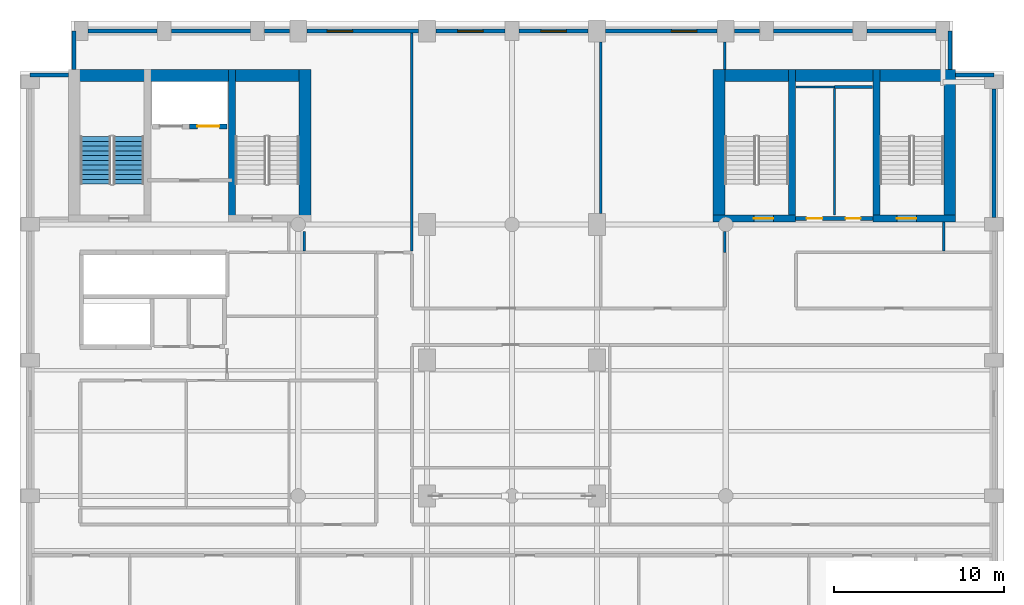
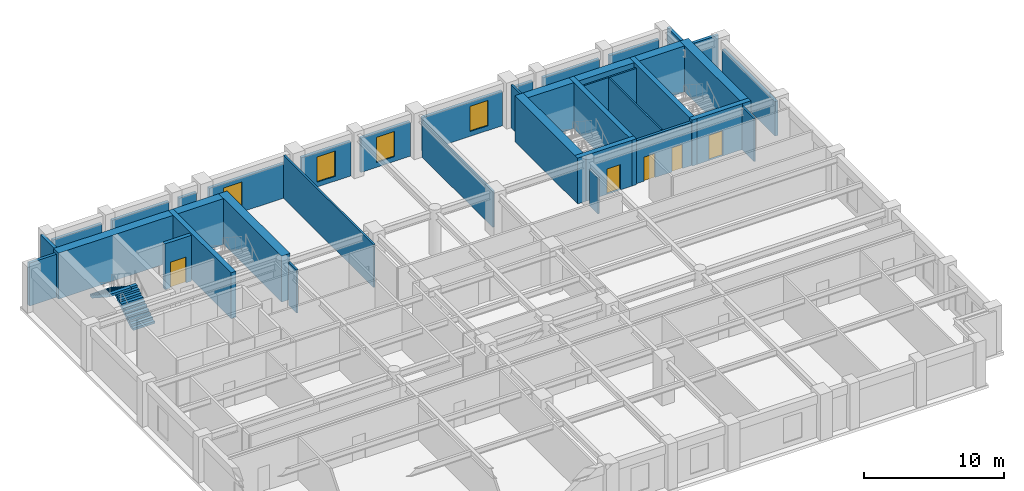
# One storey, part 7 of 10: 36 walls, 5 doors, 4 windows, 2 stair flights, 9 openings, 1 element without a shape of its own.
"""IFC4 building model written with IfcOpenShell, lengths in metres."""

from ifc_helpers import new_model, si_unit, direction, frame, frame_2d, origin, place, context, subcontext, project, spatial, polyline, rectangle, outline, extrude, material, layer, layer_set, type_object, element, fill, aggregate, save


model = new_model("IFC4")

# Units and contexts
model_context = context("Model", 3, precision=1e-05, world=origin(), true_north=direction((0.0, 1.0)))
body_context = subcontext(model_context, "Body", "Model", "MODEL_VIEW")
ifc_project = project(units=[si_unit("LENGTHUNIT", "METRE"), si_unit("AREAUNIT", "SQUARE_METRE"), si_unit("VOLUMEUNIT", "CUBIC_METRE"), si_unit("PLANEANGLEUNIT", "RADIAN"), si_unit("MASSUNIT", "GRAM", prefix="KILO")], contexts=[model_context])

# Site, building, storey
site_placement = place(None, origin())
site = spatial("IfcSite", under=ifc_project, at=site_placement, CompositionType="ELEMENT")
building_placement = place(site_placement, origin())
building = spatial("IfcBuilding", under=site, at=building_placement, Name="Sulina Concourse Tower", CompositionType="ELEMENT")
storey_placement = place(building_placement, frame((0.0, 0.0, 210.60009765625)))
storey = spatial("IfcBuildingStorey", under=building, at=storey_placement, Name="L51", CompositionType="ELEMENT", Elevation=210.60009765625)

# Wall, opening, door
ifc_material_1 = material(Name="Concrete C50/60", Category="concrete")
ifc_layer_1 = layer(ifc_material_1, 0.300048828125)
ifc_layer_set_1 = layer_set([ifc_layer_1], Name="Concrete C50/60")
wall_type_1 = type_object("IfcWallType", Name="Core Lift Hoistway Wall 300mm", PredefinedType="SOLIDWALL", material=ifc_layer_set_1)
wall_1_placement = place(storey_placement, frame((12.199951171875, 39.780029296875, 0.0), z_axis=(0.0, 0.0, 1.0), x_axis=(-1.0, 0.0, 0.0)))
wall_1 = element("IfcWall", 1, at=wall_1_placement, inside=storey, type_object=wall_type_1, Name="L51 hoistway enclosure wall FFL-2", PredefinedType="SOLIDWALL", context=body_context, shape_type="SweptSolid", body=[
    extrude(rectangle(XDim=2.199951171875, YDim=0.300048828125, at=frame_2d((1.10009765625, 0.0))), origin(), (0.0, 0.0, 1.0), 4.0),
])
opening_1_placement = place(wall_1_placement, frame((0.449951171875, 0.0, 0.0)))
opening_1 = element("IfcOpeningElement", 2, at=opening_1_placement, cuts=wall_1, Name="Opening LD-02", PredefinedType="OPENING", context=body_context, shape_type="SweptSolid", body=[
    extrude(rectangle(XDim=1.300048828125, YDim=2.25, at=frame_2d((0.64990234375, 1.125))), frame((0.0, 0.159912109375, 0.0), z_axis=(0.0, -1.0, 0.0), x_axis=(1.0, 0.0, 0.0)), (0.0, 0.0, 1.0), 0.320068359375),
])
ifc_material_2 = material(Name="Stainless steel lift landing door", Category="steel")
ifc_layer_2 = layer(ifc_material_2, 0.050048828125)
ifc_layer_set_2 = layer_set([ifc_layer_2], Name="Stainless steel lift landing door")
door_type_1 = type_object("IfcDoorType", Name="Firefighting Lift Sliding Landing Door 1300x2250", OperationType="SLIDING_TO_RIGHT", PredefinedType="DOOR", material=ifc_layer_set_2)
door_1_placement = place(opening_1_placement, origin())
door_1 = element("IfcDoor", 3, at=door_1_placement, inside=storey, type_object=door_type_1, Name="L51 lift landing sliding door FFL-2", OperationType="SLIDING_TO_RIGHT", OverallHeight=2.25, OverallWidth=1.300048828125, PredefinedType="DOOR", context=body_context, shape_type="SweptSolid", body=[
    extrude(rectangle(XDim=1.300048828125, YDim=2.25, at=frame_2d((0.64990234375, 1.125))), frame((0.0, 0.02490234375, 0.0), z_axis=(0.0, -1.0, 0.0), x_axis=(1.0, 0.0, 0.0)), (0.0, 0.0, 1.0), 0.050048828125),
])
fill(opening_1, door_1)

# Walls
ifc_material_3 = material(Name="Precast concrete C50/60", Category="concrete")
ifc_layer_3 = layer(ifc_material_3, 0.239990234375)
ifc_layer_set_3 = layer_set([ifc_layer_3], Name="Precast concrete C50/60")
wall_type_2 = type_object("IfcWallType", Name="Crown Precast Masonry-Frame Facade Wall 240mm", PredefinedType="SOLIDWALL", material=ifc_layer_set_3)
wall_2_placement = place(storey_placement, frame((4.02001953125, 45.39990234375, 0.0), z_axis=(0.0, 0.0, 1.0), x_axis=(1.0, 0.0, 0.0)))
element("IfcWall", 4, at=wall_2_placement, inside=storey, type_object=wall_type_2, Name="L51 exterior precast wall N1", PredefinedType="SOLIDWALL", context=body_context, shape_type="SweptSolid", body=[
    extrude(rectangle(XDim=4.06005859375, YDim=0.239990234375, at=frame_2d((2.030029296875, 0.0))), origin(), (0.0, 0.0, 1.0), 3.0),
])
wall_3_placement = place(storey_placement, frame((8.919921875, 45.39990234375, 0.0), z_axis=(0.0, 0.0, 1.0), x_axis=(1.0, 0.0, 0.0)))
element("IfcWall", 5, at=wall_3_placement, inside=storey, type_object=wall_type_2, Name="L51 exterior precast wall N2", PredefinedType="SOLIDWALL", context=body_context, shape_type="SweptSolid", body=[
    extrude(rectangle(XDim=4.66015625, YDim=0.239990234375, at=frame_2d((2.330078125, 0.0))), origin(), (0.0, 0.0, 1.0), 3.0),
])
wall_4_placement = place(storey_placement, frame((14.419921875, 45.39990234375, 0.0), z_axis=(0.0, 0.0, 1.0), x_axis=(1.0, 0.0, 0.0)))
element("IfcWall", 6, at=wall_4_placement, inside=storey, type_object=wall_type_2, Name="L51 exterior precast wall N3", PredefinedType="SOLIDWALL", context=body_context, shape_type="SweptSolid", body=[
    extrude(rectangle(XDim=1.4599609375, YDim=0.239990234375, at=frame_2d((0.72998046875, 0.0))), origin(), (0.0, 0.0, 1.0), 3.0),
])

# Wall, opening, window
wall_5_placement = place(storey_placement, frame((16.919921875, 45.39990234375, 0.0), z_axis=(0.0, 0.0, 1.0), x_axis=(1.0, 0.0, 0.0)))
wall_5 = element("IfcWall", 7, at=wall_5_placement, inside=storey, type_object=wall_type_2, Name="L51 exterior precast wall N4", PredefinedType="SOLIDWALL", context=body_context, shape_type="SweptSolid", body=[
    extrude(rectangle(XDim=6.56005859375, YDim=0.239990234375, at=frame_2d((3.280029296875, 0.0))), origin(), (0.0, 0.0, 1.0), 3.0),
])
opening_2_placement = place(wall_5_placement, frame((1.186767578125, 0.0, 0.419921875)))
opening_2 = element("IfcOpeningElement", 8, at=opening_2_placement, cuts=wall_5, Name="Opening WN-71", PredefinedType="OPENING", context=body_context, shape_type="SweptSolid", body=[
    extrude(rectangle(XDim=1.5, YDim=2.199951171875, at=frame_2d((0.75, 1.10009765625))), frame((0.0, 0.1298828125, 0.0), z_axis=(0.0, -1.0, 0.0), x_axis=(1.0, 0.0, 0.0)), (0.0, 0.0, 1.0), 0.260009765625),
])
ifc_material_4 = material(Name="Low-E solar double glazing in bronze aluminium", Category="aluminium")
window_type = type_object("IfcWindowType", Name="Punched Masonry-Frame Window 1500x2200", PartitioningType="SINGLE_PANEL", PredefinedType="WINDOW", material=ifc_material_4)
window_1_placement = place(opening_2_placement, origin())
window_1 = element("IfcWindow", 9, at=window_1_placement, inside=storey, type_object=window_type, Name="L51 punched window N4-1", OverallHeight=2.199951171875, OverallWidth=1.5, PartitioningType="SINGLE_PANEL", PredefinedType="WINDOW", context=body_context, shape_type="SweptSolid", body=[
    extrude(rectangle(XDim=1.5, YDim=2.199951171875, at=frame_2d((0.75, 1.10009765625))), frame((0.0, 0.030029296875, 0.0), z_axis=(0.0, -1.0, 0.0), x_axis=(1.0, 0.0, 0.0)), (0.0, 0.0, 1.0), 0.06005859375),
])
fill(opening_2, window_1)

wall_6_placement = place(storey_placement, frame((24.52001953125, 45.39990234375, 0.0), z_axis=(0.0, 0.0, 1.0), x_axis=(1.0, 0.0, 0.0)))
wall_6 = element("IfcWall", 10, at=wall_6_placement, inside=storey, type_object=wall_type_2, Name="L51 exterior precast wall N5", PredefinedType="SOLIDWALL", context=body_context, shape_type="SweptSolid", body=[
    extrude(rectangle(XDim=4.06005859375, YDim=0.239990234375, at=frame_2d((2.030029296875, 0.0))), origin(), (0.0, 0.0, 1.0), 3.0),
])
opening_3_placement = place(wall_6_placement, frame((1.280029296875, 0.0, 0.419921875)))
opening_3 = element("IfcOpeningElement", 11, at=opening_3_placement, cuts=wall_6, Name="Opening WN-71", PredefinedType="OPENING", context=body_context, shape_type="SweptSolid", body=[
    extrude(rectangle(XDim=1.5, YDim=2.199951171875, at=frame_2d((0.75, 1.10009765625))), frame((0.0, 0.1298828125, 0.0), z_axis=(0.0, -1.0, 0.0), x_axis=(1.0, 0.0, 0.0)), (0.0, 0.0, 1.0), 0.260009765625),
])
window_2_placement = place(opening_3_placement, origin())
window_2 = element("IfcWindow", 12, at=window_2_placement, inside=storey, type_object=window_type, Name="L51 punched window N5-1", OverallHeight=2.199951171875, OverallWidth=1.5, PartitioningType="SINGLE_PANEL", PredefinedType="WINDOW", context=body_context, shape_type="SweptSolid", body=[
    extrude(rectangle(XDim=1.5, YDim=2.199951171875, at=frame_2d((0.75, 1.10009765625))), frame((0.0, 0.030029296875, 0.0), z_axis=(0.0, -1.0, 0.0), x_axis=(1.0, 0.0, 0.0)), (0.0, 0.0, 1.0), 0.06005859375),
])
fill(opening_3, window_2)

wall_7_placement = place(storey_placement, frame((29.419921875, 45.39990234375, 0.0), z_axis=(0.0, 0.0, 1.0), x_axis=(1.0, 0.0, 0.0)))
wall_7 = element("IfcWall", 13, at=wall_7_placement, inside=storey, type_object=wall_type_2, Name="L51 exterior precast wall N6", PredefinedType="SOLIDWALL", context=body_context, shape_type="SweptSolid", body=[
    extrude(rectangle(XDim=4.06005859375, YDim=0.239990234375, at=frame_2d((2.030029296875, 0.0))), origin(), (0.0, 0.0, 1.0), 3.0),
])
opening_4_placement = place(wall_7_placement, frame((1.280029296875, 0.0, 0.419921875)))
opening_4 = element("IfcOpeningElement", 14, at=opening_4_placement, cuts=wall_7, Name="Opening WN-71", PredefinedType="OPENING", context=body_context, shape_type="SweptSolid", body=[
    extrude(rectangle(XDim=1.5, YDim=2.199951171875, at=frame_2d((0.75, 1.10009765625))), frame((0.0, 0.1298828125, 0.0), z_axis=(0.0, -1.0, 0.0), x_axis=(1.0, 0.0, 0.0)), (0.0, 0.0, 1.0), 0.260009765625),
])
window_3_placement = place(opening_4_placement, origin())
window_3 = element("IfcWindow", 15, at=window_3_placement, inside=storey, type_object=window_type, Name="L51 punched window N6-1", OverallHeight=2.199951171875, OverallWidth=1.5, PartitioningType="SINGLE_PANEL", PredefinedType="WINDOW", context=body_context, shape_type="SweptSolid", body=[
    extrude(rectangle(XDim=1.5, YDim=2.199951171875, at=frame_2d((0.75, 1.10009765625))), frame((0.0, 0.030029296875, 0.0), z_axis=(0.0, -1.0, 0.0), x_axis=(1.0, 0.0, 0.0)), (0.0, 0.0, 1.0), 0.06005859375),
])
fill(opening_4, window_3)

wall_8_placement = place(storey_placement, frame((34.52001953125, 45.39990234375, 0.0), z_axis=(0.0, 0.0, 1.0), x_axis=(1.0, 0.0, 0.0)))
wall_8 = element("IfcWall", 16, at=wall_8_placement, inside=storey, type_object=wall_type_2, Name="L51 exterior precast wall N7", PredefinedType="SOLIDWALL", context=body_context, shape_type="SweptSolid", body=[
    extrude(rectangle(XDim=6.56005859375, YDim=0.239990234375, at=frame_2d((3.280029296875, 0.0))), origin(), (0.0, 0.0, 1.0), 3.0),
])
opening_5_placement = place(wall_8_placement, frame((3.873291015625, 0.0, 0.419921875)))
opening_5 = element("IfcOpeningElement", 17, at=opening_5_placement, cuts=wall_8, Name="Opening WN-71", PredefinedType="OPENING", context=body_context, shape_type="SweptSolid", body=[
    extrude(rectangle(XDim=1.5, YDim=2.199951171875, at=frame_2d((0.75, 1.10009765625))), frame((0.0, 0.1298828125, 0.0), z_axis=(0.0, -1.0, 0.0), x_axis=(1.0, 0.0, 0.0)), (0.0, 0.0, 1.0), 0.260009765625),
])
window_4_placement = place(opening_5_placement, origin())
window_4 = element("IfcWindow", 18, at=window_4_placement, inside=storey, type_object=window_type, Name="L51 punched window N7-1", OverallHeight=2.199951171875, OverallWidth=1.5, PartitioningType="SINGLE_PANEL", PredefinedType="WINDOW", context=body_context, shape_type="SweptSolid", body=[
    extrude(rectangle(XDim=1.5, YDim=2.199951171875, at=frame_2d((0.75, 1.10009765625))), frame((0.0, 0.030029296875, 0.0), z_axis=(0.0, -1.0, 0.0), x_axis=(1.0, 0.0, 0.0)), (0.0, 0.0, 1.0), 0.06005859375),
])
fill(opening_5, window_4)

# Walls
wall_9_placement = place(storey_placement, frame((42.1201171875, 45.39990234375, 0.0), z_axis=(0.0, 0.0, 1.0), x_axis=(1.0, 0.0, 0.0)))
element("IfcWall", 19, at=wall_9_placement, inside=storey, type_object=wall_type_2, Name="L51 exterior precast wall N8", PredefinedType="SOLIDWALL", context=body_context, shape_type="SweptSolid", body=[
    extrude(rectangle(XDim=1.4599609375, YDim=0.239990234375, at=frame_2d((0.72998046875, 0.0))), origin(), (0.0, 0.0, 1.0), 3.0),
])
wall_10_placement = place(storey_placement, frame((44.419921875, 45.39990234375, 0.0), z_axis=(0.0, 0.0, 1.0), x_axis=(1.0, 0.0, 0.0)))
element("IfcWall", 20, at=wall_10_placement, inside=storey, type_object=wall_type_2, Name="L51 exterior precast wall N9", PredefinedType="SOLIDWALL", context=body_context, shape_type="SweptSolid", body=[
    extrude(rectangle(XDim=4.66015625, YDim=0.239990234375, at=frame_2d((2.330078125, 0.0))), origin(), (0.0, 0.0, 1.0), 3.0),
])
wall_11_placement = place(storey_placement, frame((49.919921875, 45.39990234375, 0.0), z_axis=(0.0, 0.0, 1.0), x_axis=(1.0, 0.0, 0.0)))
element("IfcWall", 21, at=wall_11_placement, inside=storey, type_object=wall_type_2, Name="L51 exterior precast wall N10", PredefinedType="SOLIDWALL", context=body_context, shape_type="SweptSolid", body=[
    extrude(rectangle(XDim=4.06005859375, YDim=0.239990234375, at=frame_2d((2.030029296875, 0.0))), origin(), (0.0, 0.0, 1.0), 3.0),
])
wall_12_placement = place(storey_placement, frame((57.39990234375, 41.97998046875, 0.0), z_axis=(0.0, 0.0, 1.0), x_axis=(0.0, -1.0, 0.0)))
element("IfcWall", 22, at=wall_12_placement, inside=storey, type_object=wall_type_2, Name="L51 exterior precast wall E5", PredefinedType="SOLIDWALL", context=body_context, shape_type="SweptSolid", body=[
    extrude(rectangle(XDim=7.56005859375, YDim=0.239990234375, at=frame_2d((3.780029296875, 0.0))), origin(), (0.0, 0.0, 1.0), 3.0),
])
wall_13_placement = place(storey_placement, frame((0.60009765625, 42.820068359375, 0.0), z_axis=(0.0, 0.0, 1.0), x_axis=(1.0, 0.0, 0.0)))
element("IfcWall", 23, at=wall_13_placement, inside=storey, type_object=wall_type_2, Name="L51 exterior precast wall CNW1", PredefinedType="SOLIDWALL", context=body_context, shape_type="SweptSolid", body=[
    extrude(rectangle(XDim=2.244873046875, YDim=0.239990234375, at=frame_2d((1.12255859375, 0.0))), origin(), (0.0, 0.0, 1.0), 3.75),
])
for number, where, z_axis, x_axis, name in (
    (24, (3.179931640625, 43.135009765625, 0.0), (0.0, 0.0, 1.0), (0.0, 1.0, 0.0), "L51 exterior precast wall CNW2"),
    (25, (54.820068359375, 45.39990234375, 0.0), (0.0, 0.0, 1.0), (0.0, -1.0, 0.0), "L51 exterior precast wall CNE1"),
):
    element("IfcWall", number, at=place(storey_placement, frame(where, z_axis=z_axis, x_axis=x_axis)), inside=storey, type_object=wall_type_2, Name=name, PredefinedType="SOLIDWALL", context=body_context, shape_type="SweptSolid", body=[
        extrude(rectangle(XDim=2.264892578125, YDim=0.239990234375, at=frame_2d((1.13232421875, 0.0))), origin(), (0.0, 0.0, 1.0), 3.75),
    ])
wall_14_placement = place(storey_placement, frame((55.155029296875, 42.820068359375, 0.0), z_axis=(0.0, 0.0, 1.0), x_axis=(1.0, 0.0, 0.0)))
element("IfcWall", 26, at=wall_14_placement, inside=storey, type_object=wall_type_2, Name="L51 exterior precast wall CNE2", PredefinedType="SOLIDWALL", context=body_context, shape_type="SweptSolid", body=[
    extrude(rectangle(XDim=2.244873046875, YDim=0.239990234375, at=frame_2d((1.12255859375, 0.0))), origin(), (0.0, 0.0, 1.0), 3.75),
])

# Wall, openings, doors
ifc_material_5 = material(Name="Gypsum board on steel stud", Category="steel")
ifc_layer_4 = layer(ifc_material_5, 0.219970703125)
ifc_layer_set_4 = layer_set([ifc_layer_4], Name="Gypsum board on steel stud")
wall_type_3 = type_object("IfcWallType", Name="Fire-Rated Lobby & Compartment Wall 220mm", PredefinedType="PARTITIONING", material=ifc_layer_set_4)
wall_15_placement = place(storey_placement, frame((45.719970703125, 34.35009765625, 0.0), z_axis=(0.0, 0.0, 1.0), x_axis=(1.0, 0.0, 0.0)))
wall_15 = element("IfcWall", 27, at=wall_15_placement, inside=storey, type_object=wall_type_3, Name="L51 east core south lobby wall", PredefinedType="PARTITIONING", context=body_context, shape_type="SweptSolid", body=[
    extrude(rectangle(XDim=4.56005859375, YDim=0.219970703125, at=frame_2d((2.280029296875, 0.0))), origin(), (0.0, 0.0, 1.0), 3.75),
])
opening_6_placement = place(wall_15_placement, frame((0.64990234375, 0.0, 0.0)))
opening_6 = element("IfcOpeningElement", 28, at=opening_6_placement, cuts=wall_15, Name="Opening DR-61", PredefinedType="OPENING", context=body_context, shape_type="SweptSolid", body=[
    extrude(rectangle(XDim=0.919921875, YDim=2.10009765625, at=frame_2d((0.4599609375, 1.050048828125))), frame((0.0, 0.119873046875, 0.0), z_axis=(0.0, -1.0, 0.0), x_axis=(1.0, 0.0, 0.0)), (0.0, 0.0, 1.0), 0.239990234375),
])
opening_7_placement = place(wall_15_placement, frame((2.949951171875, 0.0, 0.0)))
opening_7 = element("IfcOpeningElement", 29, at=opening_7_placement, cuts=wall_15, Name="Opening DR-38", PredefinedType="OPENING", context=body_context, shape_type="SweptSolid", body=[
    extrude(rectangle(XDim=0.8798828125, YDim=2.10009765625, at=frame_2d((0.43994140625, 1.050048828125))), frame((0.0, 0.119873046875, 0.0), z_axis=(0.0, -1.0, 0.0), x_axis=(1.0, 0.0, 0.0)), (0.0, 0.0, 1.0), 0.239990234375),
])
ifc_material_6 = material(Name="Oak-veneered fire door leaf")
ifc_layer_5 = layer(ifc_material_6, 0.050048828125)
ifc_layer_set_5 = layer_set([ifc_layer_5], Name="Oak-veneered fire door leaf")
door_type_2 = type_object("IfcDoorType", Name="Accessible WC Door 920x2100", OperationType="NOTDEFINED", PredefinedType="DOOR", material=ifc_layer_set_5)
door_2_placement = place(opening_6_placement, origin())
door_2 = element("IfcDoor", 30, at=door_2_placement, inside=storey, type_object=door_type_2, Name="L51 east core accessible wc door", OperationType="SINGLE_SWING_RIGHT", OverallHeight=2.10009765625, OverallWidth=0.919921875, PredefinedType="DOOR", context=body_context, shape_type="SweptSolid", body=[
    extrude(rectangle(XDim=0.919921875, YDim=2.10009765625, at=frame_2d((0.4599609375, 1.050048828125))), frame((0.0, 0.02490234375, 0.0), z_axis=(0.0, -1.0, 0.0), x_axis=(1.0, 0.0, 0.0)), (0.0, 0.0, 1.0), 0.050048828125),
])
fill(opening_6, door_2)
ifc_material_7 = material(Name="Galvanised steel acoustic fire leaf", Category="steel")
ifc_layer_6 = layer(ifc_material_7, 0.050048828125)
ifc_layer_set_6 = layer_set([ifc_layer_6], Name="Galvanised steel acoustic fire leaf")
door_type_3 = type_object("IfcDoorType", Name="Service Riser Fire Door 880x2100", OperationType="NOTDEFINED", PredefinedType="DOOR", material=ifc_layer_set_6)
door_3_placement = place(opening_7_placement, origin())
door_3 = element("IfcDoor", 31, at=door_3_placement, inside=storey, type_object=door_type_3, Name="L51 east core store door", OperationType="SINGLE_SWING_LEFT", OverallHeight=2.10009765625, OverallWidth=0.8798828125, PredefinedType="DOOR", context=body_context, shape_type="SweptSolid", body=[
    extrude(rectangle(XDim=0.8798828125, YDim=2.10009765625, at=frame_2d((0.43994140625, 1.050048828125))), frame((0.0, 0.02490234375, 0.0), z_axis=(0.0, -1.0, 0.0), x_axis=(1.0, 0.0, 0.0)), (0.0, 0.0, 1.0), 0.050048828125),
])
fill(opening_7, door_3)

# Walls
ifc_material_8 = material(Name="Gypsum board on steel stud", Category="steel")
ifc_layer_7 = layer(ifc_material_8, 0.14990234375)
ifc_layer_set_7 = layer_set([ifc_layer_7], Name="Gypsum board on steel stud")
wall_type_4 = type_object("IfcWallType", Name="Inter-Tenancy Acoustic Partition 150mm", PredefinedType="PARTITIONING", material=ifc_layer_set_7)
wall_16_placement = place(storey_placement, frame((48.0, 42.10009765625, 0.0), z_axis=(0.0, 0.0, 1.0), x_axis=(1.0, 0.0, 0.0)))
element("IfcWall", 32, at=wall_16_placement, inside=storey, type_object=wall_type_4, Name="L51 interior partition 035", PredefinedType="PARTITIONING", context=body_context, shape_type="SweptSolid", body=[
    extrude(rectangle(XDim=2.25, YDim=0.14990234375, at=frame_2d((1.125, 0.0))), origin(), (0.0, 0.0, 1.0), 3.75),
])
wall_17_placement = place(storey_placement, frame((16.75, 32.425048828125, 0.0), z_axis=(0.0, 0.0, 1.0), x_axis=(0.0, 1.0, 0.0)))
element("IfcWall", 33, at=wall_17_placement, inside=storey, type_object=wall_type_4, Name="L51 interior partition 047", PredefinedType="PARTITIONING", context=body_context, shape_type="SweptSolid", body=[
    extrude(rectangle(XDim=1.14990234375, YDim=0.14990234375, at=frame_2d((0.574951171875, 0.0))), origin(), (0.0, 0.0, 1.0), 3.75),
])
wall_18_placement = place(storey_placement, frame((23.10009765625, 32.43994140625, 0.0), z_axis=(0.0, 0.0, 1.0), x_axis=(0.0, 1.0, 0.0)))
element("IfcWall", 34, at=wall_18_placement, inside=storey, type_object=wall_type_4, Name="L51 interior partition 055", PredefinedType="PARTITIONING", context=body_context, shape_type="SweptSolid", body=[
    extrude(rectangle(XDim=12.840087890625, YDim=0.14990234375, at=frame_2d((6.419921875, 0.0))), origin(), (0.0, 0.0, 1.0), 3.75),
])
wall_19_placement = place(storey_placement, frame((34.219970703125, 34.64990234375, 0.0), z_axis=(0.0, 0.0, 1.0), x_axis=(0.0, 1.0, 0.0)))
element("IfcWall", 35, at=wall_19_placement, inside=storey, type_object=wall_type_4, Name="L51 interior partition 057", PredefinedType="PARTITIONING", context=body_context, shape_type="SweptSolid", body=[
    extrude(rectangle(XDim=10.10009765625, YDim=0.14990234375, at=frame_2d((5.050048828125, 0.0))), origin(), (0.0, 0.0, 1.0), 3.14501953125),
])
wall_20_placement = place(storey_placement, frame((41.550048828125, 32.35009765625, 0.0), z_axis=(0.0, 0.0, 1.0), x_axis=(0.0, 1.0, 0.0)))
element("IfcWall", 36, at=wall_20_placement, inside=storey, type_object=wall_type_4, Name="L51 interior partition 062", PredefinedType="PARTITIONING", context=body_context, shape_type="SweptSolid", body=[
    extrude(rectangle(XDim=1.224853515625, YDim=0.14990234375, at=frame_2d((0.6123046875, 0.0))), origin(), (0.0, 0.0, 1.0), 3.14501953125),
])
wall_21_placement = place(storey_placement, frame((41.550048828125, 43.1298828125, 0.0), z_axis=(0.0, 0.0, 1.0), x_axis=(0.0, 1.0, 0.0)))
element("IfcWall", 37, at=wall_21_placement, inside=storey, type_object=wall_type_4, Name="L51 interior partition 063", PredefinedType="PARTITIONING", context=body_context, shape_type="SweptSolid", body=[
    extrude(rectangle(XDim=1.6201171875, YDim=0.14990234375, at=frame_2d((0.81005859375, 0.0))), origin(), (0.0, 0.0, 1.0), 3.75),
])
wall_22_placement = place(storey_placement, frame((54.449951171875, 32.425048828125, 0.0), z_axis=(0.0, 0.0, 1.0), x_axis=(0.0, 1.0, 0.0)))
element("IfcWall", 38, at=wall_22_placement, inside=storey, type_object=wall_type_4, Name="L51 interior partition 068", PredefinedType="PARTITIONING", context=body_context, shape_type="SweptSolid", body=[
    extrude(rectangle(XDim=1.724853515625, YDim=0.14990234375, at=frame_2d((0.8623046875, 0.0))), origin(), (0.0, 0.0, 1.0), 3.75),
])
ifc_material_9 = material(Name="Concrete C60/75", Category="concrete")
ifc_layer_8 = layer(ifc_material_9, 0.39990234375)
ifc_layer_set_8 = layer_set([ifc_layer_8], Name="Concrete C60/75")
wall_type_5 = type_object("IfcWallType", Name="Protected Stair Core Shear Wall 400mm", PredefinedType="SHEAR", material=ifc_layer_set_8)
wall_23_placement = place(storey_placement, frame((12.489990234375, 34.14990234375, 0.0), z_axis=(0.0, 0.0, 1.0), x_axis=(0.0, 1.0, 0.0)))
element("IfcWall", 39, at=wall_23_placement, inside=storey, type_object=wall_type_5, Name="L51 west core shear wall SW-ST2", PredefinedType="SHEAR", context=body_context, shape_type="SweptSolid", body=[
    extrude(rectangle(XDim=8.97998046875, YDim=0.39990234375, at=frame_2d((4.489990234375, 0.0))), origin(), (0.0, 0.0, 1.0), 4.0),
])

# Wall, opening, door
wall_24_placement = place(storey_placement, frame((40.85009765625, 34.35009765625, 0.0), z_axis=(0.0, 0.0, 1.0), x_axis=(1.0, 0.0, 0.0)))
wall_24 = element("IfcWall", 40, at=wall_24_placement, inside=storey, type_object=wall_type_5, Name="L51 east core shear wall CW-ES1", PredefinedType="SHEAR", context=body_context, shape_type="SweptSolid", body=[
    extrude(rectangle(XDim=4.85986328125, YDim=0.39990234375, at=frame_2d((2.429931640625, 0.0))), origin(), (0.0, 0.0, 1.0), 4.0),
])
opening_8_placement = place(wall_24_placement, frame((2.39990234375, 0.0, 0.0)))
opening_8 = element("IfcOpeningElement", 41, at=opening_8_placement, cuts=wall_24, Name="Opening DR-60", PredefinedType="OPENING", context=body_context, shape_type="SweptSolid", body=[
    extrude(rectangle(XDim=1.14990234375, YDim=2.199951171875, at=frame_2d((0.574951171875, 1.10009765625))), frame((0.0, 0.2099609375, 0.0), z_axis=(0.0, -1.0, 0.0), x_axis=(1.0, 0.0, 0.0)), (0.0, 0.0, 1.0), 0.419921875),
])
ifc_material_10 = material(Name="Galvanised steel acoustic fire leaf", Category="steel")
ifc_layer_9 = layer(ifc_material_10, 0.054931640625)
ifc_layer_set_9 = layer_set([ifc_layer_9], Name="Galvanised steel acoustic fire leaf")
door_type_4 = type_object("IfcDoorType", Name="Protected Exit Stair Fire Door 1150x2200", OperationType="NOTDEFINED", PredefinedType="DOOR", material=ifc_layer_set_9)
door_4_placement = place(opening_8_placement, origin())
door_4 = element("IfcDoor", 42, at=door_4_placement, inside=storey, type_object=door_type_4, Name="L51 stair ST-3 south lobby fire door", OperationType="SINGLE_SWING_LEFT", OverallHeight=2.199951171875, OverallWidth=1.14990234375, PredefinedType="DOOR", context=body_context, shape_type="SweptSolid", body=[
    extrude(rectangle(XDim=1.14990234375, YDim=2.199951171875, at=frame_2d((0.574951171875, 1.10009765625))), frame((0.0, 0.02490234375, 0.0), z_axis=(0.0, -1.0, 0.0), x_axis=(1.0, 0.0, 0.0)), (0.0, 0.0, 1.0), 0.050048828125),
])
fill(opening_8, door_4)

# Wall
wall_25_placement = place(storey_placement, frame((45.510009765625, 34.14990234375, 0.0), z_axis=(0.0, 0.0, 1.0), x_axis=(0.0, 1.0, 0.0)))
element("IfcWall", 43, at=wall_25_placement, inside=storey, type_object=wall_type_5, Name="L51 east core shear wall SW-ST3", PredefinedType="SHEAR", context=body_context, shape_type="SweptSolid", body=[
    extrude(rectangle(XDim=8.97998046875, YDim=0.39990234375, at=frame_2d((4.489990234375, 0.0))), origin(), (0.0, 0.0, 1.0), 4.0),
])

# Wall, opening, door
wall_26_placement = place(storey_placement, frame((50.2900390625, 34.35009765625, 0.0), z_axis=(0.0, 0.0, 1.0), x_axis=(1.0, 0.0, 0.0)))
wall_26 = element("IfcWall", 44, at=wall_26_placement, inside=storey, type_object=wall_type_5, Name="L51 east core shear wall CW-ES2", PredefinedType="SHEAR", context=body_context, shape_type="SweptSolid", body=[
    extrude(rectangle(XDim=4.85986328125, YDim=0.39990234375, at=frame_2d((2.429931640625, 0.0))), origin(), (0.0, 0.0, 1.0), 4.0),
])
opening_9_placement = place(wall_26_placement, frame((1.39990234375, 0.0, 0.0)))
opening_9 = element("IfcOpeningElement", 45, at=opening_9_placement, cuts=wall_26, Name="Opening DR-60", PredefinedType="OPENING", context=body_context, shape_type="SweptSolid", body=[
    extrude(rectangle(XDim=1.14990234375, YDim=2.199951171875, at=frame_2d((0.574951171875, 1.10009765625))), frame((0.0, 0.2099609375, 0.0), z_axis=(0.0, -1.0, 0.0), x_axis=(1.0, 0.0, 0.0)), (0.0, 0.0, 1.0), 0.419921875),
])
door_5_placement = place(opening_9_placement, origin())
door_5 = element("IfcDoor", 46, at=door_5_placement, inside=storey, type_object=door_type_4, Name="L51 stair ST-4 south lobby fire door", OperationType="SINGLE_SWING_RIGHT", OverallHeight=2.199951171875, OverallWidth=1.14990234375, PredefinedType="DOOR", context=body_context, shape_type="SweptSolid", body=[
    extrude(rectangle(XDim=1.14990234375, YDim=2.199951171875, at=frame_2d((0.574951171875, 1.10009765625))), frame((0.0, 0.02490234375, 0.0), z_axis=(0.0, -1.0, 0.0), x_axis=(1.0, 0.0, 0.0)), (0.0, 0.0, 1.0), 0.050048828125),
])
fill(opening_9, door_5)

# Walls
wall_27_placement = place(storey_placement, frame((50.489990234375, 34.14990234375, 0.0), z_axis=(0.0, 0.0, 1.0), x_axis=(0.0, 1.0, 0.0)))
element("IfcWall", 47, at=wall_27_placement, inside=storey, type_object=wall_type_5, Name="L51 east core shear wall SW-ST4", PredefinedType="SHEAR", context=body_context, shape_type="SweptSolid", body=[
    extrude(rectangle(XDim=8.97998046875, YDim=0.39990234375, at=frame_2d((4.489990234375, 0.0))), origin(), (0.0, 0.0, 1.0), 4.0),
])
ifc_material_11 = material(Name="Concrete C60/75", Category="concrete")
ifc_layer_10 = layer(ifc_material_11, 0.699951171875)
ifc_layer_set_10 = layer_set([ifc_layer_10], Name="Concrete C60/75")
wall_type_6 = type_object("IfcWallType", Name="Rear Core Shear Wall 700mm", PredefinedType="SHEAR", material=ifc_layer_set_10)
wall_28_placement = place(storey_placement, frame((2.85009765625, 42.780029296875, 0.0), z_axis=(0.0, 0.0, 1.0), x_axis=(1.0, 0.0, 0.0)))
element("IfcWall", 48, at=wall_28_placement, inside=storey, type_object=wall_type_6, Name="L51 west core shear wall CW-WN", PredefinedType="SHEAR", context=body_context, shape_type="SweptSolid", body=[
    extrude(rectangle(XDim=14.2998046875, YDim=0.699951171875, at=frame_2d((7.14990234375, 0.0))), origin(), (0.0, 0.0, 1.0), 4.0),
])
wall_29_placement = place(storey_placement, frame((16.800048828125, 34.14990234375, 0.0), z_axis=(0.0, 0.0, 1.0), x_axis=(0.0, 1.0, 0.0)))
element("IfcWall", 49, at=wall_29_placement, inside=storey, type_object=wall_type_6, Name="L51 west core shear wall CW-WE", PredefinedType="SHEAR", context=body_context, shape_type="SweptSolid", body=[
    extrude(rectangle(XDim=8.97998046875, YDim=0.699951171875, at=frame_2d((4.489990234375, 0.0))), origin(), (0.0, 0.0, 1.0), 4.0),
])
wall_30_placement = place(storey_placement, frame((40.85009765625, 42.780029296875, 0.0), z_axis=(0.0, 0.0, 1.0), x_axis=(1.0, 0.0, 0.0)))
element("IfcWall", 50, at=wall_30_placement, inside=storey, type_object=wall_type_6, Name="L51 east core shear wall CW-EN", PredefinedType="SHEAR", context=body_context, shape_type="SweptSolid", body=[
    extrude(rectangle(XDim=14.2998046875, YDim=0.699951171875, at=frame_2d((7.14990234375, 0.0))), origin(), (0.0, 0.0, 1.0), 4.0),
])
for number, where, z_axis, x_axis, name in (
    (51, (41.199951171875, 34.14990234375, 0.0), (0.0, 0.0, 1.0), (0.0, 1.0, 0.0), "L51 east core shear wall CW-EW"),
    (52, (54.800048828125, 34.14990234375, 0.0), (0.0, 0.0, 1.0), (0.0, 1.0, 0.0), "L51 east core shear wall CW-EE"),
):
    element("IfcWall", number, at=place(storey_placement, frame(where, z_axis=z_axis, x_axis=x_axis)), inside=storey, type_object=wall_type_6, Name=name, PredefinedType="SHEAR", context=body_context, shape_type="SweptSolid", body=[
        extrude(rectangle(XDim=8.97998046875, YDim=0.699951171875, at=frame_2d((4.489990234375, 0.0))), origin(), (0.0, 0.0, 1.0), 4.0),
    ])
ifc_material_12 = material(Name="Gypsum board on steel stud", Category="steel")
ifc_layer_11 = layer(ifc_material_12, 0.125)
ifc_layer_set_11 = layer_set([ifc_layer_11], Name="Gypsum board on steel stud")
wall_type_7 = type_object("IfcWallType", Name="Wet-Area Moisture-Resistant Partition 125mm", PredefinedType="PARTITIONING", material=ifc_layer_set_11)
wall_31_placement = place(storey_placement, frame((45.75, 42.10009765625, 0.0), z_axis=(0.0, 0.0, 1.0), x_axis=(1.0, 0.0, 0.0)))
element("IfcWall", 53, at=wall_31_placement, inside=storey, type_object=wall_type_7, Name="L51 interior partition 034", PredefinedType="PARTITIONING", context=body_context, shape_type="SweptSolid", body=[
    extrude(rectangle(XDim=2.25, YDim=0.125, at=frame_2d((1.125, 0.0))), origin(), (0.0, 0.0, 1.0), 3.75),
])
wall_32_placement = place(storey_placement, frame((48.0, 34.550048828125, 0.0), z_axis=(0.0, 0.0, 1.0), x_axis=(0.0, 1.0, 0.0)))
element("IfcWall", 54, at=wall_32_placement, inside=storey, type_object=wall_type_7, Name="L51 interior partition 066", PredefinedType="PARTITIONING", context=body_context, shape_type="SweptSolid", body=[
    extrude(rectangle(XDim=7.474853515625, YDim=0.125, at=frame_2d((3.7373046875, 0.0))), origin(), (0.0, 0.0, 1.0), 3.75),
])

# Stair, stair flights
ifc_material_13 = material(Name="Concrete C50/60", Category="concrete")
stair_type = type_object("IfcStairType", Name="Primary Core Dog-Leg Exit Stair 1800mm", PredefinedType="HALF_TURN_STAIR", material=ifc_material_13)
stair_placement = place(storey_placement, origin())
stair = element("IfcStair", 55, at=stair_placement, inside=storey, type_object=stair_type, Name="L51 ST-1", PredefinedType="HALF_TURN_STAIR")
ifc_material_14 = material(Name="Concrete C50/60", Category="concrete")
stair_flight_type = type_object("IfcStairFlightType", Name="Primary Core Dog-Leg Exit Stair 1800mm Flight", PredefinedType="STRAIGHT", material=ifc_material_14)
stair_flight_1_placement = place(storey_placement, frame((6.405029296875, 36.375, 0.0), z_axis=(0.0, 0.0, 1.0), x_axis=(0.0, 1.0, 0.0)))
stair_flight_1 = element("IfcStairFlight", 56, at=stair_flight_1_placement, type_object=stair_flight_type, Name="ST-1 flight 1", NumberOfRisers=11, NumberOfTreads=10, PredefinedType="STRAIGHT", RiserHeight=0.181818182, TreadLength=0.28, context=body_context, shape_type="SweptSolid", body=[
    extrude(outline(polyline([(0.0, 0.0), (0.0, 0.181884765625), (0.280029296875, 0.181884765625), (0.280029296875, 0.363525390625), (0.56005859375, 0.363525390625), (0.56005859375, 0.54541015625), (0.840087890625, 0.54541015625), (0.840087890625, 0.727294921875), (1.1201171875, 0.727294921875), (1.1201171875, 0.9091796875), (1.39990234375, 0.9091796875), (1.39990234375, 1.0908203125), (1.679931640625, 1.0908203125), (1.679931640625, 1.272705078125), (1.9599609375, 1.272705078125), (1.9599609375, 1.45458984375), (2.239990234375, 1.45458984375), (2.239990234375, 1.636474609375), (2.52001953125, 1.636474609375), (2.52001953125, 1.818115234375), (2.800048828125, 1.818115234375), (2.800048828125, 2.0), (2.800048828125, 1.603759765625), (0.330322265625, 0.0), (0.0, 0.0)])), frame((0.0, 0.89990234375, 0.0), z_axis=(0.0, -1.0, 0.0), x_axis=(1.0, 0.0, 0.0)), (0.0, 0.0, 1.0), 1.800048828125),
])
stair_flight_2_placement = place(storey_placement, frame((4.455078125, 39.175048828125, 2.0), z_axis=(0.0, 0.0, 1.0), x_axis=(0.0, -1.0, 0.0)))
stair_flight_2 = element("IfcStairFlight", 57, at=stair_flight_2_placement, type_object=stair_flight_type, Name="ST-1 flight 2", NumberOfRisers=11, NumberOfTreads=10, PredefinedType="STRAIGHT", RiserHeight=0.181818182, TreadLength=0.28, context=body_context, shape_type="SweptSolid", body=[
    extrude(outline(polyline([(0.0, 0.0), (0.0, 0.181884765625), (0.280029296875, 0.181884765625), (0.280029296875, 0.363525390625), (0.56005859375, 0.363525390625), (0.56005859375, 0.54541015625), (0.840087890625, 0.54541015625), (0.840087890625, 0.727294921875), (1.1201171875, 0.727294921875), (1.1201171875, 0.9091796875), (1.39990234375, 0.9091796875), (1.39990234375, 1.0908203125), (1.679931640625, 1.0908203125), (1.679931640625, 1.272705078125), (1.9599609375, 1.272705078125), (1.9599609375, 1.45458984375), (2.239990234375, 1.45458984375), (2.239990234375, 1.636474609375), (2.52001953125, 1.636474609375), (2.52001953125, 1.818115234375), (2.800048828125, 1.818115234375), (2.800048828125, 2.0), (2.800048828125, 1.603759765625), (0.330322265625, 0.0), (0.0, 0.0)])), frame((0.0, 0.89990234375, 0.0), z_axis=(0.0, -1.0, 0.0), x_axis=(1.0, 0.0, 0.0)), (0.0, 0.0, 1.0), 1.800048828125),
])
aggregate(stair, [stair_flight_1, stair_flight_2])

save(model, "model.ifc")
